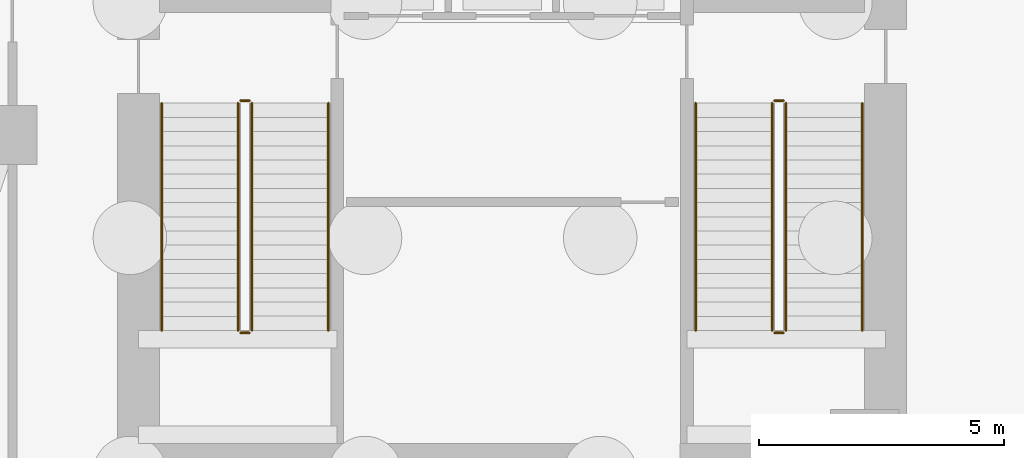
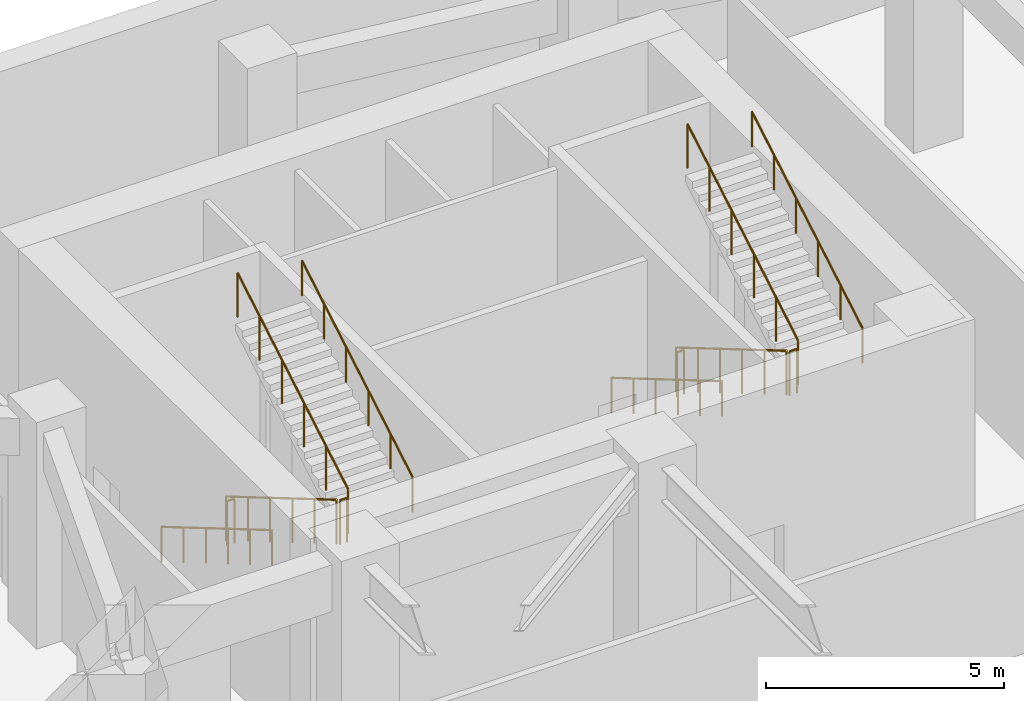
# One storey, part 8 of 9: 12 railings.
"""IFC4 building model written with IfcOpenShell, lengths in metres."""

import ifcopenshell
import ifcopenshell.guid

model = None  # the IFC model being written
_history = None  # IfcOwnerHistory: only IFC2X3 demands one
_inside = {}  # id of a spatial element -> (the spatial element, [elements in it])
_under = {}  # id of a project, library or spatial element -> (it, [spatial elements below it])
_declared = {}  # id of a project -> (the project, [libraries it declares])
_typed = {}  # id of a type object -> (the type object, [elements of that type])
_made_of = {}  # id of a material, layer set ... -> (it, [elements and type objects made of it])


def new_model(schema):
    """Start an empty IFC model of exactly this schema.

    Asked for "IFC4X3", IfcOpenShell would pick the latest addendum, in which some entities
    have other attributes; the version numbers below select the first issue.
    IFC2X3 requires an IfcOwnerHistory on every rooted entity: one is made here for all.
    """
    global model, _history
    if schema == "IFC4X3":
        model = ifcopenshell.file(schema_version=(4, 3, 0, 0))
    else:
        model = ifcopenshell.file(schema=schema)
    _inside.clear()
    _under.clear()
    _declared.clear()
    _typed.clear()
    _made_of.clear()
    _history = None
    if model.schema == "IFC2X3":
        org = make("IfcOrganization", Name="unknown")
        user = make(
            "IfcPersonAndOrganization",
            ThePerson=make("IfcPerson", FamilyName="unknown"),
            TheOrganization=org,
        )
        app = make(
            "IfcApplication",
            ApplicationDeveloper=org,
            Version="unknown",
            ApplicationFullName="unknown",
            ApplicationIdentifier="unknown",
        )
        _history = make(
            "IfcOwnerHistory",
            OwningUser=user,
            OwningApplication=app,
            ChangeAction="ADDED",
            CreationDate=0,
        )
    return model


def make(cls, **values):
    """One entity of the class cls with the attributes given. An attribute that is None is left unset."""
    return model.create_entity(
        cls, **{name: value for name, value in values.items() if value is not None}
    )


def rooted(cls, **values):
    """An entity with a GlobalId (a new one), such as an element, a storey or a relation."""
    return make(cls, GlobalId=ifcopenshell.guid.new(), OwnerHistory=_history, **values)


def si_unit(unit_type, name, prefix=None):
    """IfcSIUnit, for example si_unit("LENGTHUNIT", "METRE", prefix="MILLI")."""
    return make("IfcSIUnit", UnitType=unit_type, Prefix=prefix, Name=name)


def assignment(units):
    """IfcUnitAssignment: the units of a project."""
    return None if units is None else make("IfcUnitAssignment", Units=units)


def point(xyz):
    """IfcCartesianPoint."""
    return None if xyz is None else make("IfcCartesianPoint", Coordinates=xyz)


def direction(xyz):
    """IfcDirection."""
    return None if xyz is None else make("IfcDirection", DirectionRatios=xyz)


def frame(location, z_axis=None, x_axis=None):
    """IfcAxis2Placement3D, a coordinate frame: its origin and axes. An axis left out is left unset."""
    return make(
        "IfcAxis2Placement3D",
        Location=point(location),
        Axis=direction(z_axis),
        RefDirection=direction(x_axis),
    )


def frame_2d(location, x_axis=None):
    """IfcAxis2Placement2D, a coordinate frame in the plane: its origin and x axis."""
    return make(
        "IfcAxis2Placement2D", Location=point(location), RefDirection=direction(x_axis)
    )


def origin():
    """The frame at (0, 0, 0) with its axes left unset."""
    return frame((0.0, 0.0, 0.0))


def origin_2d():
    """The frame at (0, 0) in the plane with its x axis left unset."""
    return frame_2d((0.0, 0.0))


def place(relative_to, where):
    """IfcLocalPlacement: puts the frame where relative to a parent placement (None: the world)."""
    return make(
        "IfcLocalPlacement", PlacementRelTo=relative_to, RelativePlacement=where
    )


def context(
    kind, dimensions, precision=None, world=None, true_north=None, identifier=None
):
    """IfcGeometricRepresentationContext, for example the 3D "Model" context."""
    return make(
        "IfcGeometricRepresentationContext",
        ContextIdentifier=identifier,
        ContextType=kind,
        CoordinateSpaceDimension=dimensions,
        Precision=precision,
        WorldCoordinateSystem=world,
        TrueNorth=true_north,
    )


def subcontext(parent, identifier, kind, view, scale=None):
    """IfcGeometricRepresentationSubContext, for example "Body" below "Model"."""
    return make(
        "IfcGeometricRepresentationSubContext",
        ContextIdentifier=identifier,
        ContextType=kind,
        ParentContext=parent,
        TargetScale=scale,
        TargetView=view,
    )


def project(units=None, contexts=None):
    """IfcProject with its units and contexts."""
    return rooted(
        "IfcProject",
        Name="project",
        RepresentationContexts=contexts,
        UnitsInContext=assignment(units),
    )


def spatial(cls, under=None, at=None, **own):
    """A site, building, storey or space (cls), placed at a placement, below another one or the project."""
    s = rooted(cls, ObjectPlacement=at, **own)
    if under is not None:
        _under.setdefault(under.id(), (under, []))[1].append(s)
    return s


def profile(cls, at=None, kind="AREA", **sizes):
    """A parametric profile (cls). Its sizes go by their IFC names, for example OverallWidth=200.0."""
    return make(cls, ProfileType=kind, Position=at, **sizes)


def circle(**sizes):
    """IfcCircleProfileDef."""
    return profile("IfcCircleProfileDef", **sizes)


def extrude(swept, where, along, depth):
    """IfcExtrudedAreaSolid: the profile swept, set in the frame where, extruded along a direction by depth."""
    return make(
        "IfcExtrudedAreaSolid",
        SweptArea=swept,
        Position=where,
        ExtrudedDirection=direction(along),
        Depth=depth,
    )


def shape(context_of_items, identifier, shape_type, items):
    """IfcShapeRepresentation: the items that make up one representation, for example the "Body"."""
    return make(
        "IfcShapeRepresentation",
        ContextOfItems=context_of_items,
        RepresentationIdentifier=identifier,
        RepresentationType=shape_type,
        Items=items,
    )


def material(Name=None, Category=None):
    """IfcMaterial."""
    return make("IfcMaterial", Name=Name, Category=Category)


def made_of(thing, what):
    """Note that an element or type object is made of a material, layer set ...; save() writes the relation."""
    if what is not None:
        _made_of.setdefault(what.id(), (what, []))[1].append(thing)
    return thing


def type_object(cls, material=None, **own):
    """A type object (cls), such as IfcWallType, which elements share."""
    return made_of(rooted(cls, **own), material)


def element(
    cls,
    number,
    at=None,
    inside=None,
    cuts=None,
    type_object=None,
    material=None,
    context=None,
    identifier="Body",
    shape_type=None,
    held_by="IfcProductDefinitionShape",
    body=None,
    shapes=None,
    **own,
):
    """One element of the class cls, such as IfcWall. Its Tag is "e" and its number.

    at: its placement. inside: the storey or other place that contains it. cuts: it is an
    opening in that element (IfcRelVoidsElement). A single representation is given by context,
    identifier, shape_type and body (its items); several are given by shapes. held_by: the class
    of the entity that holds the representations. save() writes the other relations.
    """
    e = rooted(cls, Tag="e%d" % number, ObjectPlacement=at, **own)
    if body is not None:
        shapes = [shape(context, identifier, shape_type, body)]
    if shapes is not None:
        e.Representation = make(held_by, Representations=shapes)
    if inside is not None:
        _inside.setdefault(inside.id(), (inside, []))[1].append(e)
    if cuts is not None:
        rooted(
            "IfcRelVoidsElement", RelatingBuildingElement=cuts, RelatedOpeningElement=e
        )
    if type_object is not None:
        _typed.setdefault(type_object.id(), (type_object, []))[1].append(e)
    return made_of(e, material)


def aggregate(whole, parts):
    """IfcRelAggregates: a whole, such as a stair, and the parts it consists of."""
    return rooted("IfcRelAggregates", RelatingObject=whole, RelatedObjects=parts)


def save(model, path):
    """Write the relations noted so far, then the file.

    IfcRelAggregates (storeys below a building ...), IfcRelContainedInSpatialStructure (elements
    in a storey), IfcRelDefinesByType, IfcRelAssociatesMaterial and IfcRelDeclares: one each for
    every whole, place, type object, material and project.
    """
    for whole, parts in _under.values():
        aggregate(whole, parts)
    for where, things in _inside.values():
        rooted(
            "IfcRelContainedInSpatialStructure",
            RelatedElements=things,
            RelatingStructure=where,
        )
    for kind, things in _typed.values():
        rooted("IfcRelDefinesByType", RelatedObjects=things, RelatingType=kind)
    for what, things in _made_of.values():
        rooted("IfcRelAssociatesMaterial", RelatedObjects=things, RelatingMaterial=what)
    for by, libraries in _declared.values():
        rooted("IfcRelDeclares", RelatingContext=by, RelatedDefinitions=libraries)
    model.write(path)


model = new_model("IFC4")

# Units and contexts
model_context = context("Model", 3, precision=1e-05, world=origin(), true_north=direction((0.0, 1.0)))
body_context = subcontext(model_context, "Body", "Model", "MODEL_VIEW")
ifc_project = project(units=[si_unit("LENGTHUNIT", "METRE"), si_unit("AREAUNIT", "SQUARE_METRE"), si_unit("VOLUMEUNIT", "CUBIC_METRE"), si_unit("PLANEANGLEUNIT", "RADIAN"), si_unit("MASSUNIT", "GRAM", prefix="KILO")], contexts=[model_context])

# Site, building, storey
site_placement = place(None, origin())
site = spatial("IfcSite", under=ifc_project, at=site_placement, CompositionType="ELEMENT")
building_placement = place(site_placement, origin())
building = spatial("IfcBuilding", under=site, at=building_placement, Name="Calvemar Wedge Station Tower", CompositionType="ELEMENT")
storey_placement = place(building_placement, frame((0.0, 0.0, -11.199951171875)))
storey = spatial("IfcBuildingStorey", under=building, at=storey_placement, Name="B02", CompositionType="ELEMENT", Elevation=-11.199951171875)

# Railings
ifc_material_1 = material(Name="Stainless steel AISI 316L", Category="steel")
railing_type_1 = type_object("IfcRailingType", Name="RL-HANDRAIL-920", PredefinedType="HANDRAIL", material=ifc_material_1)
railing_1_placement = place(storey_placement, frame((16.64990234375, 41.14990234375, 0.170654296875)))
element("IfcRailing", 1, at=railing_1_placement, inside=storey, type_object=railing_type_1, Name="B02 ST-C1 stair handrail 1", PredefinedType="HANDRAIL", context=body_context, shape_type="SweptSolid", body=[
    extrude(circle(Radius=0.02392578125, at=origin_2d()), frame((0.0, 0.0, 0.89599609375), z_axis=(0.0, -0.861942376336, 0.507006252305), x_axis=(1.0, 0.0, 0.0)), (0.0, 0.0, 1.0), 5.383056640625),
    extrude(circle(Radius=0.02099609375, at=origin_2d()), origin(), (0.0, 0.0, 1.0), 0.871826171875),
    extrude(circle(Radius=0.02099609375, at=origin_2d()), frame((0.0, -0.927978515625, 0.5458984375)), (0.0, 0.0, 1.0), 0.871826171875),
    extrude(circle(Radius=0.02099609375, at=origin_2d()), frame((0.0, -1.85595703125, 1.091796875)), (0.0, 0.0, 1.0), 0.871826171875),
    extrude(circle(Radius=0.02099609375, at=origin_2d()), frame((0.0, -2.783935546875, 1.637451171875)), (0.0, 0.0, 1.0), 0.871826171875),
    extrude(circle(Radius=0.02099609375, at=origin_2d()), frame((0.0, -3.7119140625, 2.183349609375)), (0.0, 0.0, 1.0), 0.871826171875),
    extrude(circle(Radius=0.02099609375, at=origin_2d()), frame((0.0, -4.639892578125, 2.729248046875)), (0.0, 0.0, 1.0), 0.871826171875),
])
railing_2_placement = place(storey_placement, frame((20.050048828125, 36.510009765625, 3.070556640625)))
element("IfcRailing", 2, at=railing_2_placement, inside=storey, type_object=railing_type_1, Name="B02 ST-C1 stair handrail 2", PredefinedType="HANDRAIL", context=body_context, shape_type="SweptSolid", body=[
    extrude(circle(Radius=0.02392578125, at=origin_2d()), frame((0.0, 0.0, 0.89599609375), z_axis=(0.0, 0.861922556213, 0.507039946249), x_axis=(-1.0, 0.0, 0.0)), (0.0, 0.0, 1.0), 5.38330078125),
    extrude(circle(Radius=0.02099609375, at=origin_2d()), origin(), (0.0, 0.0, 1.0), 0.871826171875),
    extrude(circle(Radius=0.02099609375, at=origin_2d()), frame((0.0, 0.927978515625, 0.5458984375)), (0.0, 0.0, 1.0), 0.871826171875),
    extrude(circle(Radius=0.02099609375, at=origin_2d()), frame((0.0, 1.85595703125, 1.091796875)), (0.0, 0.0, 1.0), 0.871826171875),
    extrude(circle(Radius=0.02099609375, at=origin_2d()), frame((0.0, 2.783935546875, 1.6376953125)), (0.0, 0.0, 1.0), 0.871826171875),
    extrude(circle(Radius=0.02099609375, at=origin_2d()), frame((0.0, 3.7119140625, 2.18359375)), (0.0, 0.0, 1.0), 0.871826171875),
    extrude(circle(Radius=0.02099609375, at=origin_2d()), frame((0.0, 4.639892578125, 2.7294921875)), (0.0, 0.0, 1.0), 0.871826171875),
])
railing_3_placement = place(storey_placement, frame((27.550048828125, 41.14990234375, 0.170654296875)))
element("IfcRailing", 3, at=railing_3_placement, inside=storey, type_object=railing_type_1, Name="B02 ST-C2 stair handrail 1", PredefinedType="HANDRAIL", context=body_context, shape_type="SweptSolid", body=[
    extrude(circle(Radius=0.02392578125, at=origin_2d()), frame((0.0, 0.0, 0.89599609375), z_axis=(0.0, -0.861942376336, 0.507006252305), x_axis=(1.0, 0.0, 0.0)), (0.0, 0.0, 1.0), 5.383056640625),
    extrude(circle(Radius=0.02099609375, at=origin_2d()), origin(), (0.0, 0.0, 1.0), 0.871826171875),
    extrude(circle(Radius=0.02099609375, at=origin_2d()), frame((0.0, -0.927978515625, 0.5458984375)), (0.0, 0.0, 1.0), 0.871826171875),
    extrude(circle(Radius=0.02099609375, at=origin_2d()), frame((0.0, -1.85595703125, 1.091796875)), (0.0, 0.0, 1.0), 0.871826171875),
    extrude(circle(Radius=0.02099609375, at=origin_2d()), frame((0.0, -2.783935546875, 1.637451171875)), (0.0, 0.0, 1.0), 0.871826171875),
    extrude(circle(Radius=0.02099609375, at=origin_2d()), frame((0.0, -3.7119140625, 2.183349609375)), (0.0, 0.0, 1.0), 0.871826171875),
    extrude(circle(Radius=0.02099609375, at=origin_2d()), frame((0.0, -4.639892578125, 2.729248046875)), (0.0, 0.0, 1.0), 0.871826171875),
])
railing_4_placement = place(storey_placement, frame((30.949951171875, 36.510009765625, 3.070556640625)))
element("IfcRailing", 4, at=railing_4_placement, inside=storey, type_object=railing_type_1, Name="B02 ST-C2 stair handrail 2", PredefinedType="HANDRAIL", context=body_context, shape_type="SweptSolid", body=[
    extrude(circle(Radius=0.02392578125, at=origin_2d()), frame((0.0, 0.0, 0.89599609375), z_axis=(0.0, 0.861922556213, 0.507039946249), x_axis=(-1.0, 0.0, 0.0)), (0.0, 0.0, 1.0), 5.38330078125),
    extrude(circle(Radius=0.02099609375, at=origin_2d()), origin(), (0.0, 0.0, 1.0), 0.871826171875),
    extrude(circle(Radius=0.02099609375, at=origin_2d()), frame((0.0, 0.927978515625, 0.5458984375)), (0.0, 0.0, 1.0), 0.871826171875),
    extrude(circle(Radius=0.02099609375, at=origin_2d()), frame((0.0, 1.85595703125, 1.091796875)), (0.0, 0.0, 1.0), 0.871826171875),
    extrude(circle(Radius=0.02099609375, at=origin_2d()), frame((0.0, 2.783935546875, 1.6376953125)), (0.0, 0.0, 1.0), 0.871826171875),
    extrude(circle(Radius=0.02099609375, at=origin_2d()), frame((0.0, 3.7119140625, 2.18359375)), (0.0, 0.0, 1.0), 0.871826171875),
    extrude(circle(Radius=0.02099609375, at=origin_2d()), frame((0.0, 4.639892578125, 2.7294921875)), (0.0, 0.0, 1.0), 0.871826171875),
])
ifc_material_2 = material(Name="Painted steel guardrail ASTM A500 Grade C", Category="steel")
railing_type_2 = type_object("IfcRailingType", Name="RL-STAIR-GUARD-1150", PredefinedType="GUARDRAIL", material=ifc_material_2)
railing_5_placement = place(storey_placement, frame((18.2099609375, 41.14990234375, 0.170654296875)))
element("IfcRailing", 5, at=railing_5_placement, inside=storey, type_object=railing_type_2, Name="B02 ST-C1 stair guard 1", PredefinedType="GUARDRAIL", context=body_context, shape_type="SweptSolid", body=[
    extrude(circle(Radius=0.02392578125, at=origin_2d()), frame((0.0, 0.0, 1.1259765625), z_axis=(0.0, -0.861942376336, 0.507006252305), x_axis=(1.0, 0.0, 0.0)), (0.0, 0.0, 1.0), 5.383056640625),
    extrude(circle(Radius=0.02099609375, at=origin_2d()), origin(), (0.0, 0.0, 1.0), 1.101806640625),
    extrude(circle(Radius=0.02099609375, at=origin_2d()), frame((0.0, -0.927978515625, 0.5458984375)), (0.0, 0.0, 1.0), 1.101806640625),
    extrude(circle(Radius=0.02099609375, at=origin_2d()), frame((0.0, -1.85595703125, 1.091796875)), (0.0, 0.0, 1.0), 1.101806640625),
    extrude(circle(Radius=0.02099609375, at=origin_2d()), frame((0.0, -2.783935546875, 1.637451171875)), (0.0, 0.0, 1.0), 1.101806640625),
    extrude(circle(Radius=0.02099609375, at=origin_2d()), frame((0.0, -3.7119140625, 2.183349609375)), (0.0, 0.0, 1.0), 1.101806640625),
    extrude(circle(Radius=0.02099609375, at=origin_2d()), frame((0.0, -4.639892578125, 2.729248046875)), (0.0, 0.0, 1.0), 1.101806640625),
])
railing_6_placement = place(storey_placement, frame((18.260009765625, 36.4599609375, 2.89990234375)))
element("IfcRailing", 6, at=railing_6_placement, inside=storey, type_object=railing_type_2, Name="B02 ST-C1 stair guard 2", PredefinedType="GUARDRAIL", context=body_context, shape_type="SweptSolid", body=[
    extrude(circle(Radius=0.02392578125, at=origin_2d()), frame((0.0, 0.0, 1.1259765625), z_axis=(1.0, 0.0, 0.0), x_axis=(0.0, 1.0, 0.0)), (0.0, 0.0, 1.0), 0.179931640625),
    extrude(circle(Radius=0.02099609375, at=origin_2d()), origin(), (0.0, 0.0, 1.0), 1.101806640625),
    extrude(circle(Radius=0.02099609375, at=origin_2d()), frame((0.179931640625, 0.0, 0.0)), (0.0, 0.0, 1.0), 1.101806640625),
])
railing_7_placement = place(storey_placement, frame((18.489990234375, 36.510009765625, 3.070556640625)))
element("IfcRailing", 7, at=railing_7_placement, inside=storey, type_object=railing_type_2, Name="B02 ST-C1 stair guard 3", PredefinedType="GUARDRAIL", context=body_context, shape_type="SweptSolid", body=[
    extrude(circle(Radius=0.02392578125, at=origin_2d()), frame((0.0, 0.0, 1.1259765625), z_axis=(0.0, 0.861922556213, 0.507039946249), x_axis=(-1.0, 0.0, 0.0)), (0.0, 0.0, 1.0), 5.38330078125),
    extrude(circle(Radius=0.02099609375, at=origin_2d()), origin(), (0.0, 0.0, 1.0), 1.101806640625),
    extrude(circle(Radius=0.02099609375, at=origin_2d()), frame((0.0, 0.927978515625, 0.5458984375)), (0.0, 0.0, 1.0), 1.101806640625),
    extrude(circle(Radius=0.02099609375, at=origin_2d()), frame((0.0, 1.85595703125, 1.091796875)), (0.0, 0.0, 1.0), 1.101806640625),
    extrude(circle(Radius=0.02099609375, at=origin_2d()), frame((0.0, 2.783935546875, 1.6376953125)), (0.0, 0.0, 1.0), 1.101806640625),
    extrude(circle(Radius=0.02099609375, at=origin_2d()), frame((0.0, 3.7119140625, 2.18359375)), (0.0, 0.0, 1.0), 1.101806640625),
    extrude(circle(Radius=0.02099609375, at=origin_2d()), frame((0.0, 4.639892578125, 2.7294921875)), (0.0, 0.0, 1.0), 1.101806640625),
])
railing_8_placement = place(storey_placement, frame((18.260009765625, 41.199951171875, 0.0)))
element("IfcRailing", 8, at=railing_8_placement, inside=storey, type_object=railing_type_2, Name="B02 ST-C1 stair guard 4", PredefinedType="GUARDRAIL", context=body_context, shape_type="SweptSolid", body=[
    extrude(circle(Radius=0.02392578125, at=origin_2d()), frame((0.0, 0.0, 1.1259765625), z_axis=(1.0, 0.0, 0.0), x_axis=(0.0, 1.0, 0.0)), (0.0, 0.0, 1.0), 0.179931640625),
    extrude(circle(Radius=0.02099609375, at=origin_2d()), origin(), (0.0, 0.0, 1.0), 1.101806640625),
    extrude(circle(Radius=0.02099609375, at=origin_2d()), frame((0.179931640625, 0.0, 0.0)), (0.0, 0.0, 1.0), 1.101806640625),
])
railing_9_placement = place(storey_placement, frame((29.110107421875, 41.14990234375, 0.170654296875)))
element("IfcRailing", 9, at=railing_9_placement, inside=storey, type_object=railing_type_2, Name="B02 ST-C2 stair guard 1", PredefinedType="GUARDRAIL", context=body_context, shape_type="SweptSolid", body=[
    extrude(circle(Radius=0.02392578125, at=origin_2d()), frame((0.0, 0.0, 1.1259765625), z_axis=(0.0, -0.861942376336, 0.507006252305), x_axis=(1.0, 0.0, 0.0)), (0.0, 0.0, 1.0), 5.383056640625),
    extrude(circle(Radius=0.02099609375, at=origin_2d()), origin(), (0.0, 0.0, 1.0), 1.101806640625),
    extrude(circle(Radius=0.02099609375, at=origin_2d()), frame((0.0, -0.927978515625, 0.5458984375)), (0.0, 0.0, 1.0), 1.101806640625),
    extrude(circle(Radius=0.02099609375, at=origin_2d()), frame((0.0, -1.85595703125, 1.091796875)), (0.0, 0.0, 1.0), 1.101806640625),
    extrude(circle(Radius=0.02099609375, at=origin_2d()), frame((0.0, -2.783935546875, 1.637451171875)), (0.0, 0.0, 1.0), 1.101806640625),
    extrude(circle(Radius=0.02099609375, at=origin_2d()), frame((0.0, -3.7119140625, 2.183349609375)), (0.0, 0.0, 1.0), 1.101806640625),
    extrude(circle(Radius=0.02099609375, at=origin_2d()), frame((0.0, -4.639892578125, 2.729248046875)), (0.0, 0.0, 1.0), 1.101806640625),
])
railing_10_placement = place(storey_placement, frame((29.159912109375, 36.4599609375, 2.89990234375)))
element("IfcRailing", 10, at=railing_10_placement, inside=storey, type_object=railing_type_2, Name="B02 ST-C2 stair guard 2", PredefinedType="GUARDRAIL", context=body_context, shape_type="SweptSolid", body=[
    extrude(circle(Radius=0.02392578125, at=origin_2d()), frame((0.0, 0.0, 1.1259765625), z_axis=(1.0, 0.0, 0.0), x_axis=(0.0, 1.0, 0.0)), (0.0, 0.0, 1.0), 0.18017578125),
    extrude(circle(Radius=0.02099609375, at=origin_2d()), origin(), (0.0, 0.0, 1.0), 1.101806640625),
    extrude(circle(Radius=0.02099609375, at=origin_2d()), frame((0.18017578125, 0.0, 0.0)), (0.0, 0.0, 1.0), 1.101806640625),
])
railing_11_placement = place(storey_placement, frame((29.389892578125, 36.510009765625, 3.070556640625)))
element("IfcRailing", 11, at=railing_11_placement, inside=storey, type_object=railing_type_2, Name="B02 ST-C2 stair guard 3", PredefinedType="GUARDRAIL", context=body_context, shape_type="SweptSolid", body=[
    extrude(circle(Radius=0.02392578125, at=origin_2d()), frame((0.0, 0.0, 1.1259765625), z_axis=(0.0, 0.861922556213, 0.507039946249), x_axis=(-1.0, 0.0, 0.0)), (0.0, 0.0, 1.0), 5.38330078125),
    extrude(circle(Radius=0.02099609375, at=origin_2d()), origin(), (0.0, 0.0, 1.0), 1.101806640625),
    extrude(circle(Radius=0.02099609375, at=origin_2d()), frame((0.0, 0.927978515625, 0.5458984375)), (0.0, 0.0, 1.0), 1.101806640625),
    extrude(circle(Radius=0.02099609375, at=origin_2d()), frame((0.0, 1.85595703125, 1.091796875)), (0.0, 0.0, 1.0), 1.101806640625),
    extrude(circle(Radius=0.02099609375, at=origin_2d()), frame((0.0, 2.783935546875, 1.6376953125)), (0.0, 0.0, 1.0), 1.101806640625),
    extrude(circle(Radius=0.02099609375, at=origin_2d()), frame((0.0, 3.7119140625, 2.18359375)), (0.0, 0.0, 1.0), 1.101806640625),
    extrude(circle(Radius=0.02099609375, at=origin_2d()), frame((0.0, 4.639892578125, 2.7294921875)), (0.0, 0.0, 1.0), 1.101806640625),
])
railing_12_placement = place(storey_placement, frame((29.159912109375, 41.199951171875, 0.0)))
element("IfcRailing", 12, at=railing_12_placement, inside=storey, type_object=railing_type_2, Name="B02 ST-C2 stair guard 4", PredefinedType="GUARDRAIL", context=body_context, shape_type="SweptSolid", body=[
    extrude(circle(Radius=0.02392578125, at=origin_2d()), frame((0.0, 0.0, 1.1259765625), z_axis=(1.0, 0.0, 0.0), x_axis=(0.0, 1.0, 0.0)), (0.0, 0.0, 1.0), 0.18017578125),
    extrude(circle(Radius=0.02099609375, at=origin_2d()), origin(), (0.0, 0.0, 1.0), 1.101806640625),
    extrude(circle(Radius=0.02099609375, at=origin_2d()), frame((0.18017578125, 0.0, 0.0)), (0.0, 0.0, 1.0), 1.101806640625),
])

save(model, "model.ifc")
